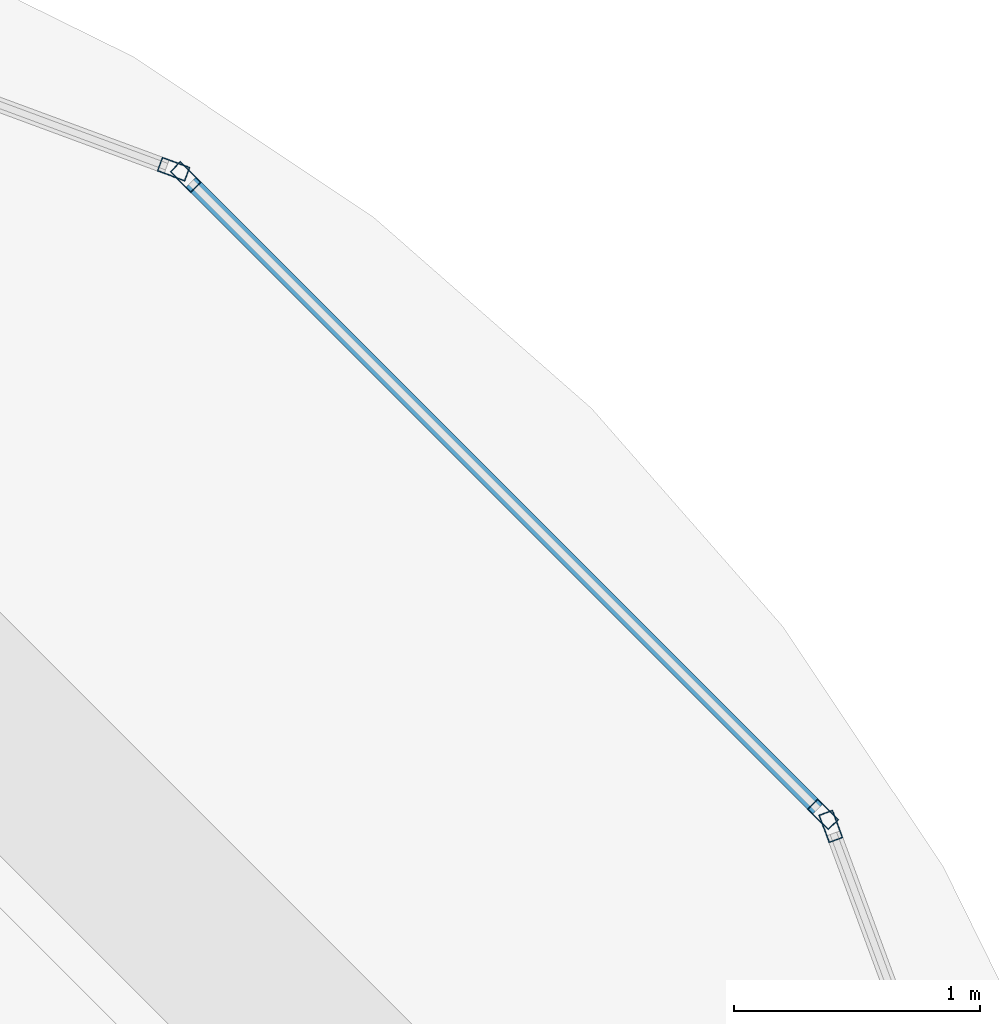
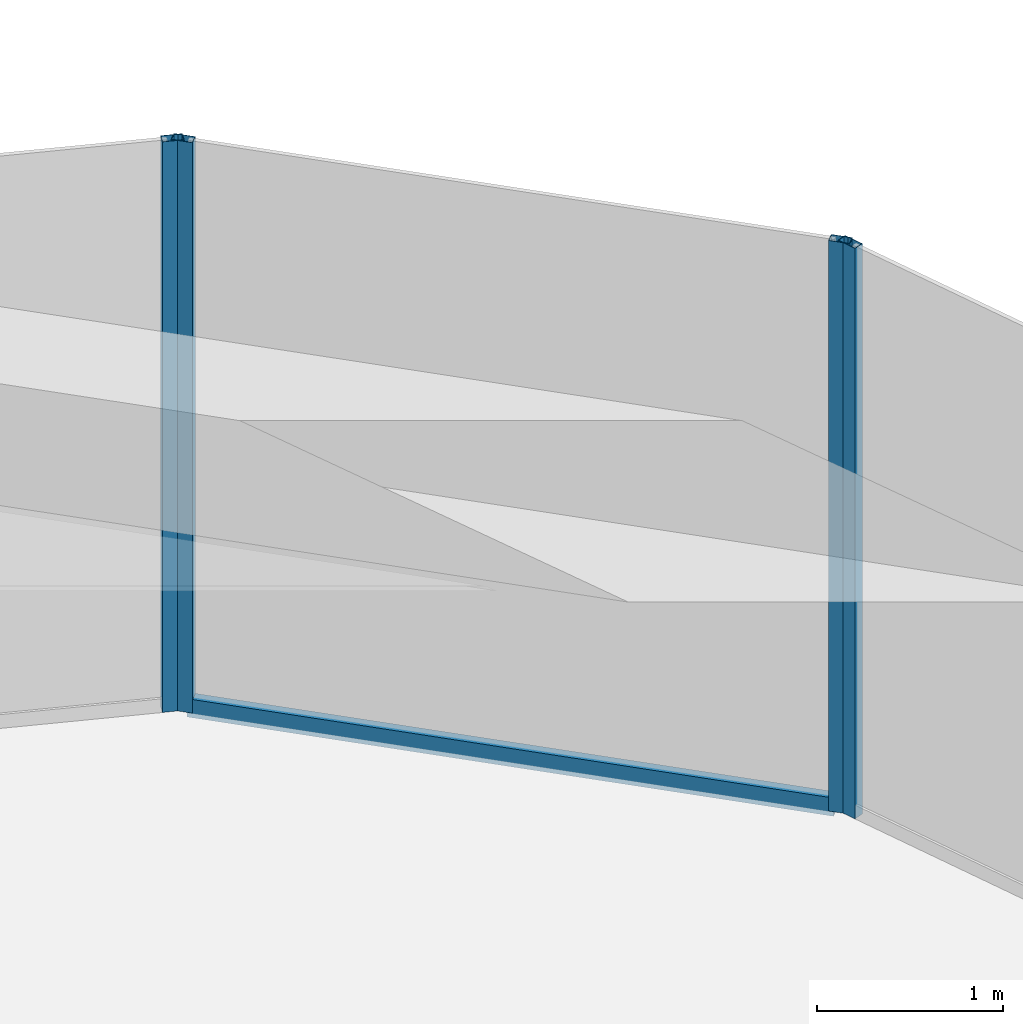
# One storey, part 40 of 45: 5 members, 3 elements without a shape of their own.
"""IFC4 building model written with IfcOpenShell, lengths in metres."""

from ifc_helpers import new_model, si_unit, direction, frame, origin, origin_2d, place, context, subcontext, project, spatial, hollow_rectangle, extrude, material, material_profile, profile_set, type_object, element, aggregate, save


model = new_model("IFC4")

# Units and contexts
model_context = context("Model", 3, precision=1e-05, world=origin(), true_north=direction((0.0, 1.0)))
body_context = subcontext(model_context, "Body", "Model", "MODEL_VIEW")
ifc_project = project(units=[si_unit("LENGTHUNIT", "METRE"), si_unit("AREAUNIT", "SQUARE_METRE"), si_unit("VOLUMEUNIT", "CUBIC_METRE"), si_unit("PLANEANGLEUNIT", "RADIAN"), si_unit("MASSUNIT", "GRAM", prefix="KILO")], contexts=[model_context])

# Site, building, storey
site_placement = place(None, origin())
site = spatial("IfcSite", under=ifc_project, at=site_placement, CompositionType="ELEMENT")
building_placement = place(site_placement, origin())
building = spatial("IfcBuilding", under=site, at=building_placement, Name="Zorevar Civic Tower", CompositionType="ELEMENT")
storey_placement = place(building_placement, frame((0.0, 0.0, 247.39990234375)))
storey = spatial("IfcBuildingStorey", under=building, at=storey_placement, Name="L60", CompositionType="ELEMENT", Elevation=247.39990234375)

# Curtain wall, member
ifc_material_1 = material(Name="Dark grey solar-control glass in black aluminium frame", Category="aluminium")
curtain_wall_type = type_object("IfcCurtainWallType", Name="Curtain wall CW5 top zone", PredefinedType="NOTDEFINED", material=ifc_material_1)
curtain_wall_1_placement = place(storey_placement, origin())
curtain_wall_1 = element("IfcCurtainWall", 1, at=curtain_wall_1_placement, inside=storey, type_object=curtain_wall_type, Name="CW5 L60", PredefinedType="NOTDEFINED")
ifc_material_2 = material(Name="Aluminium, black anodised", Category="aluminium")
ifc_material_profile_1 = material_profile(ifc_material_2, hollow_rectangle(XDim=0.06005859375, YDim=0.1201171875, WallThickness=0.0029296875, at=origin_2d()), Name="AL 120x60x3")
ifc_profile_set_1 = profile_set([ifc_material_profile_1], Name="Aluminium, black anodised")
member_type_1 = type_object("IfcMemberType", Name="CW5 mullion AL 120x60x3", PredefinedType="MULLION", material=ifc_profile_set_1)
member_1_placement = place(storey_placement, frame((52.336181640625, 40.66455078125, 0.0), z_axis=(0.0, 0.0, 1.0), x_axis=(-0.937974588163, -0.346704012033, 0.0)))
member_1 = element("IfcMember", 2, at=member_1_placement, type_object=member_type_1, Name="CW5 mullion 2", PredefinedType="MULLION", context=body_context, shape_type="SweptSolid", body=[
    extrude(hollow_rectangle(XDim=0.06005859375, YDim=0.1201171875, WallThickness=0.0029296875, at=origin_2d()), origin(), (0.0, 0.0, 1.0), 3.75),
])
aggregate(curtain_wall_1, [member_1])

# Curtain wall, members
curtain_wall_2_placement = place(storey_placement, origin())
curtain_wall_2 = element("IfcCurtainWall", 3, at=curtain_wall_2_placement, inside=storey, type_object=curtain_wall_type, Name="CW5 L60", PredefinedType="NOTDEFINED")
member_2_placement = place(storey_placement, frame((52.3046875, 40.7138671875, 0.0), z_axis=(0.0, 0.0, 1.0), x_axis=(-0.707106781187, -0.707106781187, 0.0)))
member_2 = element("IfcMember", 4, at=member_2_placement, type_object=member_type_1, Name="CW5 mullion 1", PredefinedType="MULLION", context=body_context, shape_type="SweptSolid", body=[
    extrude(hollow_rectangle(XDim=0.06005859375, YDim=0.1201171875, WallThickness=0.0029296875, at=origin_2d()), origin(), (0.0, 0.0, 1.0), 3.75),
])
member_3_placement = place(storey_placement, frame((49.7138671875, 43.3046875, 0.0), z_axis=(0.0, 0.0, 1.0), x_axis=(-0.707106781187, -0.707106781187, 0.0)))
member_3 = element("IfcMember", 5, at=member_3_placement, type_object=member_type_1, Name="CW5 mullion 2", PredefinedType="MULLION", context=body_context, shape_type="SweptSolid", body=[
    extrude(hollow_rectangle(XDim=0.06005859375, YDim=0.1201171875, WallThickness=0.0029296875, at=origin_2d()), origin(), (0.0, 0.0, 1.0), 3.75),
])

# Curtain wall, member
curtain_wall_3_placement = place(storey_placement, origin())
curtain_wall_3 = element("IfcCurtainWall", 6, at=curtain_wall_3_placement, inside=storey, type_object=curtain_wall_type, Name="CW5 L60", PredefinedType="NOTDEFINED")
member_4_placement = place(storey_placement, frame((49.66455078125, 43.336181640625, 0.0), z_axis=(0.0, 0.0, 1.0), x_axis=(-0.346704012033, -0.937974588163, 0.0)))
member_4 = element("IfcMember", 7, at=member_4_placement, type_object=member_type_1, Name="CW5 mullion 1", PredefinedType="MULLION", context=body_context, shape_type="SweptSolid", body=[
    extrude(hollow_rectangle(XDim=0.06005859375, YDim=0.1201171875, WallThickness=0.0029296875, at=origin_2d()), origin(), (0.0, 0.0, 1.0), 3.75),
])
aggregate(curtain_wall_3, [member_4])

# Member
ifc_material_3 = material(Name="Aluminium, black anodised", Category="aluminium")
ifc_material_profile_2 = material_profile(ifc_material_3, hollow_rectangle(XDim=0.06005859375, YDim=0.1201171875, WallThickness=0.0029296875, at=origin_2d()), Name="AL 120x60x3")
ifc_profile_set_2 = profile_set([ifc_material_profile_2], Name="Aluminium, black anodised")
member_type_2 = type_object("IfcMemberType", Name="CW5 transom AL 120x60x3", PredefinedType="USERDEFINED", material=ifc_profile_set_2)
member_5_placement = place(storey_placement, frame((52.283447265625, 40.735107421875, 0.030029296875), z_axis=(-0.707106781187, 0.707106781187, 0.0), x_axis=(-0.707106781187, -0.707106781187, 0.0)))
member_5 = element("IfcMember", 8, at=member_5_placement, type_object=member_type_2, Name="CW5 sill transom", ObjectType="TRANSOM", PredefinedType="USERDEFINED", context=body_context, shape_type="SweptSolid", body=[
    extrude(hollow_rectangle(XDim=0.06005859375, YDim=0.1201171875, WallThickness=0.0029296875, at=origin_2d()), origin(), (0.0, 0.0, 1.0), 3.60400390625),
])

aggregate(curtain_wall_2, [member_2, member_3, member_5])

save(model, "model.ifc")
